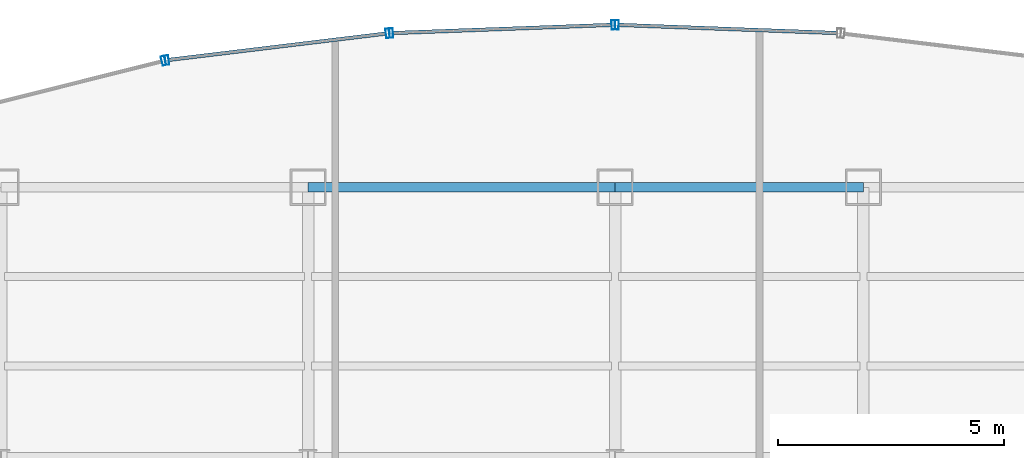
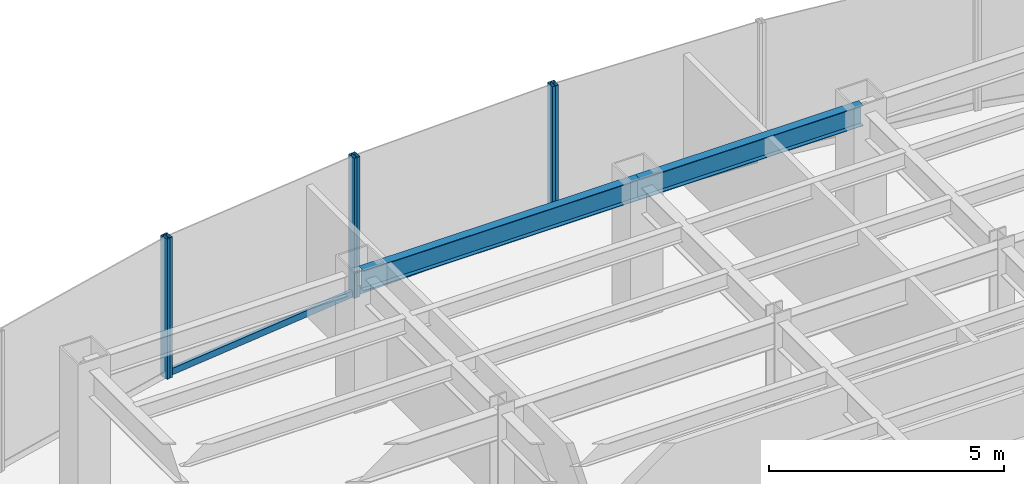
# One storey, part 16 of 26: 9 members, 2 beams, 4 elements without a shape of their own.
"""IFC4 building model written with IfcOpenShell, lengths in metres."""

from ifc_helpers import new_model, si_unit, derived_unit, direction, frame, origin, origin_2d, place, context, subcontext, project, spatial, hollow_rectangle, i_section, extrude, source, transform, mapped, material, material_profile, profile_set, type_object, element, aggregate, save


model = new_model("IFC4")

# Units and contexts
model_context = context("Model", 3, precision=1e-05, world=origin(), true_north=direction((0.0, 1.0)))
body_context = subcontext(model_context, "Body", "Model", "MODEL_VIEW")
ifc_project = project(units=[si_unit("LENGTHUNIT", "METRE"), si_unit("AREAUNIT", "SQUARE_METRE"), si_unit("VOLUMEUNIT", "CUBIC_METRE"), si_unit("PLANEANGLEUNIT", "RADIAN"), si_unit("MASSUNIT", "GRAM", prefix="KILO"), derived_unit("THERMALTRANSMITTANCEUNIT", [(si_unit("POWERUNIT", "WATT"), 1), (si_unit("LENGTHUNIT", "METRE"), -2), (si_unit("THERMODYNAMICTEMPERATUREUNIT", "KELVIN"), -1)])], contexts=[model_context])

# Site, building, storey
site_placement = place(None, origin())
site = spatial("IfcSite", under=ifc_project, at=site_placement, CompositionType="ELEMENT")
building_placement = place(site_placement, origin())
building = spatial("IfcBuilding", under=site, at=building_placement, Name="Skarnbrae Concourse Arena and Tower", CompositionType="ELEMENT")
storey_placement = place(building_placement, frame((0.0, 0.0, 110.550048828125)))
storey = spatial("IfcBuildingStorey", under=building, at=storey_placement, Name="L27", CompositionType="ELEMENT", Elevation=110.550048828125)

# Beams
ifc_material_1 = material(Name="Steel CSA G40.21 350W", Category="steel")
ifc_material_profile_1 = material_profile(ifc_material_1, i_section(OverallWidth=0.208984375, OverallDepth=0.532958984375, WebThickness=0.01025390625, FlangeThickness=0.015625, at=origin_2d()), Name="W530X92")
ifc_profile_set_1 = profile_set([ifc_material_profile_1], Name="Steel CSA G40.21 350W")
beam_type = type_object("IfcBeamType", Name="BM-SPAN-W530X92", PredefinedType="SPANDREL", material=ifc_profile_set_1)
shared_shape_1 = source(origin(), body_context, "Body", "SweptSolid", [
    extrude(i_section(OverallWidth=0.208984375, OverallDepth=0.532958984375, WebThickness=0.01025390625, FlangeThickness=0.015625, at=origin_2d()), origin(), (0.0, 0.0, 1.0), 6.800048828125),
])
beam_1_placement = place(storey_placement, frame((21.199951171875, 40.39990234375, 3.133544921875), z_axis=(1.0, 0.0, 0.0), x_axis=(0.0, 1.0, 0.0)))
element("IfcBeam", 1, at=beam_1_placement, inside=storey, type_object=beam_type, Name="L27 Perimeter spandrel Y40.4-2", PredefinedType="SPANDREL", context=body_context, shape_type="MappedRepresentation", body=[
    mapped(shared_shape_1, transform((0.0, 0.0, 0.0))),
])
shared_shape_2 = source(origin(), body_context, "Body", "SweptSolid", [
    extrude(i_section(OverallWidth=0.208984375, OverallDepth=0.532958984375, WebThickness=0.01025390625, FlangeThickness=0.015625, at=origin_2d()), origin(), (0.0, 0.0, 1.0), 5.5),
])
beam_2_placement = place(storey_placement, frame((28.0, 40.39990234375, 3.133544921875), z_axis=(1.0, 0.0, 0.0), x_axis=(0.0, 1.0, 0.0)))
element("IfcBeam", 2, at=beam_2_placement, inside=storey, type_object=beam_type, Name="L27 Perimeter spandrel Y40.4-3", PredefinedType="SPANDREL", context=body_context, shape_type="MappedRepresentation", body=[
    mapped(shared_shape_2, transform((0.0, 0.0, 0.0))),
])

# Curtain wall, member
ifc_material_2 = material(Name="Bronze anodised aluminium 6063-T6", Category="aluminium")
curtain_wall_type = type_object("IfcCurtainWallType", Name="CW-SYS-03-PORTAL", PredefinedType="USERDEFINED", material=ifc_material_2)
curtain_wall_1_placement = place(storey_placement, origin())
curtain_wall_1 = element("IfcCurtainWall", 3, at=curtain_wall_1_placement, inside=storey, type_object=curtain_wall_type, Name="L27 Unitised curtain wall CW-L27-E11", ObjectType="UNITISED CURTAIN WALL", PredefinedType="USERDEFINED")
ifc_material_profile_2 = material_profile(ifc_material_2, hollow_rectangle(XDim=0.080078125, YDim=0.2099609375, WallThickness=0.00439453125, at=origin_2d()), Name="ALU-MULL-80X210")
ifc_profile_set_2 = profile_set([ifc_material_profile_2], Name="Bronze anodised aluminium 6063-T6")
member_type_1 = type_object("IfcMemberType", Name="CWM-CW-03", PredefinedType="MULLION", material=ifc_profile_set_2)
shared_shape_3 = source(origin(), body_context, "Body", "SweptSolid", [
    extrude(hollow_rectangle(XDim=0.080078125, YDim=0.2099609375, WallThickness=0.00439453125, at=origin_2d()), origin(), (0.0, 0.0, 1.0), 3.64990234375),
])
member_1_placement = place(storey_placement, frame((28.0400390625, 43.99853515625, 0.0), z_axis=(0.0, 0.0, 1.0), x_axis=(-0.999308486252, 0.037182647889, 0.0)))
member_1 = element("IfcMember", 4, at=member_1_placement, type_object=member_type_1, Name="CW-L27-E11 Mullion 2", PredefinedType="MULLION", context=body_context, shape_type="MappedRepresentation", body=[
    mapped(shared_shape_3, transform((0.0, 0.0, 0.0))),
])

# Curtain wall, members
curtain_wall_2_placement = place(storey_placement, origin())
curtain_wall_2 = element("IfcCurtainWall", 5, at=curtain_wall_2_placement, inside=storey, type_object=curtain_wall_type, Name="L27 Unitised curtain wall CW-L27-E12", ObjectType="UNITISED CURTAIN WALL", PredefinedType="USERDEFINED")
member_2_placement = place(storey_placement, frame((27.9599609375, 43.99853515625, 0.0), z_axis=(0.0, 0.0, 1.0), x_axis=(-0.999308486252, -0.037182647889, 0.0)))
member_2 = element("IfcMember", 6, at=member_2_placement, type_object=member_type_1, Name="CW-L27-E12 Mullion 1", PredefinedType="MULLION", context=body_context, shape_type="MappedRepresentation", body=[
    mapped(shared_shape_3, transform((0.0, 0.0, 0.0))),
])
member_3_placement = place(storey_placement, frame((23.041015625, 43.8154296875, 0.0), z_axis=(0.0, 0.0, 1.0), x_axis=(-0.999308486252, -0.037182647889, 0.0)))
member_3 = element("IfcMember", 7, at=member_3_placement, type_object=member_type_1, Name="CW-L27-E12 Mullion 2", PredefinedType="MULLION", context=body_context, shape_type="MappedRepresentation", body=[
    mapped(shared_shape_3, transform((0.0, 0.0, 0.0))),
])

curtain_wall_3_placement = place(storey_placement, origin())
curtain_wall_3 = element("IfcCurtainWall", 8, at=curtain_wall_3_placement, inside=storey, type_object=curtain_wall_type, Name="L27 Unitised curtain wall CW-L27-E13", ObjectType="UNITISED CURTAIN WALL", PredefinedType="USERDEFINED")
member_4_placement = place(storey_placement, frame((22.96142578125, 43.80908203125, 0.0), z_axis=(0.0, 0.0, 1.0), x_axis=(-0.992749371969, -0.120202680731, 0.0)))
member_4 = element("IfcMember", 9, at=member_4_placement, type_object=member_type_1, Name="CW-L27-E13 Mullion 1", PredefinedType="MULLION", context=body_context, shape_type="MappedRepresentation", body=[
    mapped(shared_shape_3, transform((0.0, 0.0, 0.0))),
])
member_5_placement = place(storey_placement, frame((18.075439453125, 43.217529296875, 0.0), z_axis=(0.0, 0.0, 1.0), x_axis=(-0.992749371969, -0.120202680731, 0.0)))
member_5 = element("IfcMember", 10, at=member_5_placement, type_object=member_type_1, Name="CW-L27-E13 Mullion 2", PredefinedType="MULLION", context=body_context, shape_type="MappedRepresentation", body=[
    mapped(shared_shape_3, transform((0.0, 0.0, 0.0))),
])

# Curtain wall, member
curtain_wall_4_placement = place(storey_placement, origin())
curtain_wall_4 = element("IfcCurtainWall", 11, at=curtain_wall_4_placement, inside=storey, type_object=curtain_wall_type, Name="L27 Unitised curtain wall CW-L27-E14", ObjectType="UNITISED CURTAIN WALL", PredefinedType="USERDEFINED")
member_6_placement = place(storey_placement, frame((17.9970703125, 43.203125, 0.0), z_axis=(0.0, 0.0, 1.0), x_axis=(-0.969903046166, -0.243491439351, 0.0)))
member_6 = element("IfcMember", 12, at=member_6_placement, type_object=member_type_1, Name="CW-L27-E14 Mullion 1", PredefinedType="MULLION", context=body_context, shape_type="MappedRepresentation", body=[
    mapped(shared_shape_3, transform((0.0, 0.0, 0.0))),
])
aggregate(curtain_wall_4, [member_6])

# Member
ifc_material_profile_3 = material_profile(ifc_material_2, hollow_rectangle(XDim=0.080078125, YDim=0.169921875, WallThickness=0.00439453125, at=origin_2d()), Name="ALU-TRAN-80X170")
ifc_profile_set_3 = profile_set([ifc_material_profile_3], Name="Bronze anodised aluminium 6063-T6")
member_type_2 = type_object("IfcMemberType", Name="CWT-CW-03", PredefinedType="USERDEFINED", material=ifc_profile_set_3)
shared_shape_4 = source(origin(), body_context, "Body", "SweptSolid", [
    extrude(hollow_rectangle(XDim=0.080078125, YDim=0.169921875, WallThickness=0.00439453125, at=origin_2d()), origin(), (0.0, 0.0, 1.0), 4.841552734375),
])
member_7_placement = place(storey_placement, frame((22.921630859375, 43.804443359375, 0.0849609375), z_axis=(-0.992747648444, -0.120216914405, 0.0), x_axis=(0.120216914405, -0.992747648444, 0.0)))
member_7 = element("IfcMember", 13, at=member_7_placement, type_object=member_type_2, Name="CW-L27-E13 Transom 1", ObjectType="TRANSOM", PredefinedType="USERDEFINED", context=body_context, shape_type="MappedRepresentation", body=[
    mapped(shared_shape_4, transform((0.0, 0.0, 0.0))),
])

aggregate(curtain_wall_3, [member_4, member_5, member_7])

shared_shape_5 = source(origin(), body_context, "Body", "SweptSolid", [
    extrude(hollow_rectangle(XDim=0.080078125, YDim=0.169921875, WallThickness=0.00439453125, at=origin_2d()), origin(), (0.0, 0.0, 1.0), 4.842529296875),
])
member_8_placement = place(storey_placement, frame((32.9189453125, 43.81689453125, 0.0849609375), z_axis=(-0.999307562882, 0.0372074558, 0.0), x_axis=(-0.0372074558, -0.999307562882, 0.0)))
member_8 = element("IfcMember", 14, at=member_8_placement, type_object=member_type_2, Name="CW-L27-E11 Transom 1", ObjectType="TRANSOM", PredefinedType="USERDEFINED", context=body_context, shape_type="MappedRepresentation", body=[
    mapped(shared_shape_5, transform((0.0, 0.0, 0.0))),
])

aggregate(curtain_wall_1, [member_1, member_8])

member_9_placement = place(storey_placement, frame((27.920166015625, 43.9970703125, 0.0849609375), z_axis=(-0.999307562882, -0.0372074558, 0.0), x_axis=(0.0372074558, -0.999307562882, 0.0)))
member_9 = element("IfcMember", 15, at=member_9_placement, type_object=member_type_2, Name="CW-L27-E12 Transom 1", ObjectType="TRANSOM", PredefinedType="USERDEFINED", context=body_context, shape_type="MappedRepresentation", body=[
    mapped(shared_shape_5, transform((0.0, 0.0, 0.0))),
])

aggregate(curtain_wall_2, [member_2, member_3, member_9])

save(model, "model.ifc")
